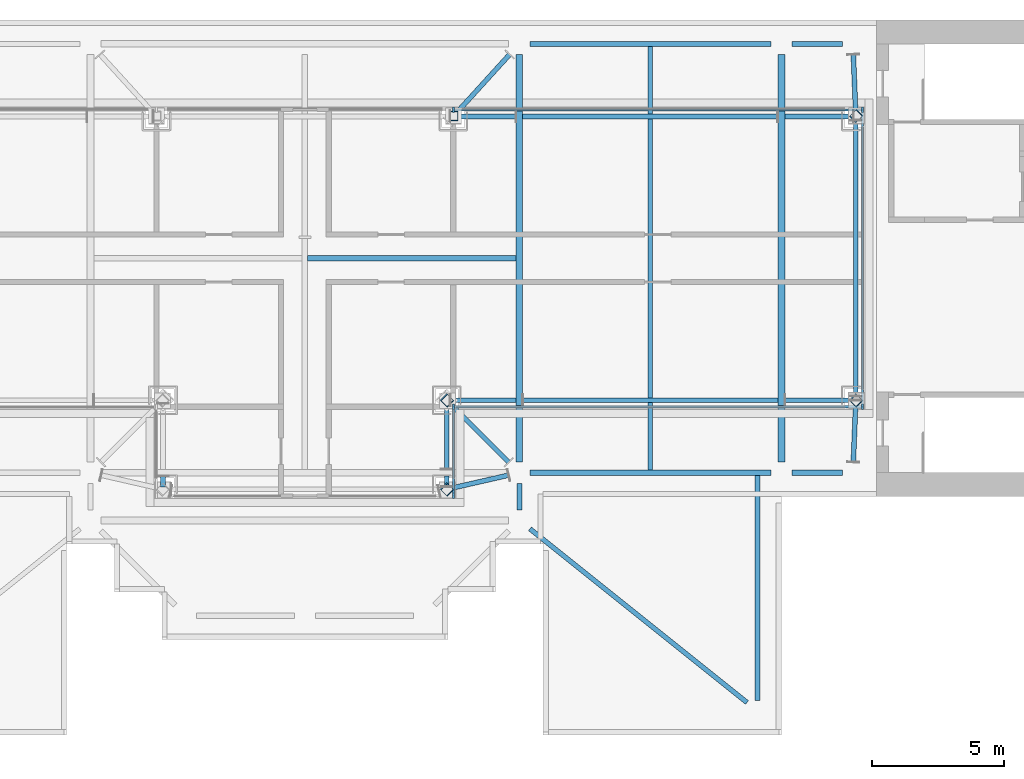
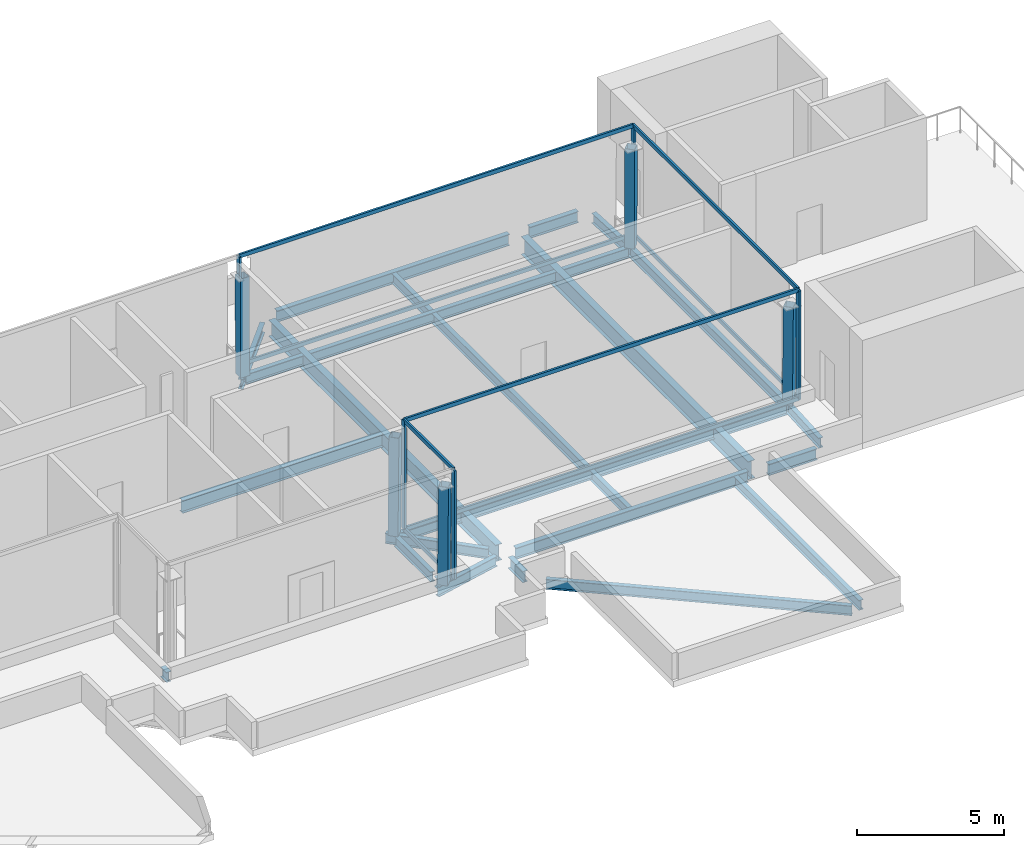
# One storey, part 2 of 8: 28 beams, 18 members, 5 elements without a shape of their own.
"""IFC4 building model written with IfcOpenShell, lengths in metres."""

from ifc_helpers import new_model, si_unit, direction, frame, origin, origin_2d, place, context, subcontext, project, spatial, rectangle, hollow_rectangle, i_section, extrude, material, material_profile, profile_set, type_object, element, aggregate, save


model = new_model("IFC4")

# Units and contexts
model_context = context("Model", 3, precision=1e-05, world=origin(), true_north=direction((0.0, 1.0)))
body_context = subcontext(model_context, "Body", "Model", "MODEL_VIEW")
ifc_project = project(units=[si_unit("LENGTHUNIT", "METRE"), si_unit("AREAUNIT", "SQUARE_METRE"), si_unit("VOLUMEUNIT", "CUBIC_METRE"), si_unit("PLANEANGLEUNIT", "RADIAN"), si_unit("MASSUNIT", "GRAM", prefix="KILO")], contexts=[model_context])

# Site, building, storey
site_placement = place(None, origin())
site = spatial("IfcSite", under=ifc_project, at=site_placement, CompositionType="ELEMENT")
building_placement = place(site_placement, origin())
building = spatial("IfcBuilding", under=site, at=building_placement, Name="Perihelion Cross Residences", CompositionType="ELEMENT")
storey_placement = place(building_placement, frame((0.0, 0.0, 298.800048828125)))
storey = spatial("IfcBuildingStorey", under=building, at=storey_placement, Name="L76", CompositionType="ELEMENT", Elevation=298.800048828125)

# Curtain wall, member
ifc_material_1 = material(Name="Bronze anodised aluminium, tinted glazing", Category="aluminium")
curtain_wall_type = type_object("IfcCurtainWallType", Name="CW6", PredefinedType="NOTDEFINED", material=ifc_material_1)
curtain_wall_1_placement = place(storey_placement, origin())
curtain_wall_1 = element("IfcCurtainWall", 1, at=curtain_wall_1_placement, inside=storey, type_object=curtain_wall_type, Name="Curtain wall CW6 L76 crown 1", PredefinedType="NOTDEFINED")
ifc_material_2 = material(Name="Bronze anodised aluminium", Category="aluminium")
ifc_material_profile_1 = material_profile(ifc_material_2, rectangle(XDim=0.080078125, YDim=0.199951171875, at=origin_2d()), Name="CW6 mullion")
ifc_profile_set_1 = profile_set([ifc_material_profile_1], Name="Bronze anodised aluminium")
member_type_1 = type_object("IfcMemberType", Name="CW6 mullion", PredefinedType="MULLION", material=ifc_profile_set_1)
member_1_placement = place(storey_placement, frame((21.057373046875, -5.60693359375, 0.0), z_axis=(0.0, 0.0, 1.0), x_axis=(1.0, 0.0, 0.0)))
member_1 = element("IfcMember", 2, at=member_1_placement, type_object=member_type_1, Name="Mullion CW6-M L76 crown 1", PredefinedType="MULLION", context=body_context, shape_type="SweptSolid", body=[
    extrude(rectangle(XDim=0.080078125, YDim=0.199951171875, at=origin_2d()), origin(), (0.0, 0.0, 1.0), 4.5),
])

curtain_wall_2_placement = place(storey_placement, origin())
curtain_wall_2 = element("IfcCurtainWall", 3, at=curtain_wall_2_placement, inside=storey, type_object=curtain_wall_type, Name="Curtain wall CW6 L76 crown 2", PredefinedType="NOTDEFINED")
member_2_placement = place(storey_placement, frame((21.057373046875, 5.60693359375, 0.0), z_axis=(0.0, 0.0, 1.0), x_axis=(1.0, 0.0, 0.0)))
member_2 = element("IfcMember", 4, at=member_2_placement, type_object=member_type_1, Name="Mullion CW6-M L76 crown 2", PredefinedType="MULLION", context=body_context, shape_type="SweptSolid", body=[
    extrude(rectangle(XDim=0.080078125, YDim=0.199951171875, at=origin_2d()), origin(), (0.0, 0.0, 1.0), 4.5),
])

curtain_wall_3_placement = place(storey_placement, origin())
curtain_wall_3 = element("IfcCurtainWall", 5, at=curtain_wall_3_placement, inside=storey, type_object=curtain_wall_type, Name="Curtain wall CW6 L76 crown 3", PredefinedType="NOTDEFINED")
member_3_placement = place(storey_placement, frame((5.60693359375, 5.60693359375, 0.0), z_axis=(0.0, 0.0, 1.0), x_axis=(1.0, 0.0, 0.0)))
member_3 = element("IfcMember", 6, at=member_3_placement, type_object=member_type_1, Name="Mullion CW6-M L76 crown 3", PredefinedType="MULLION", context=body_context, shape_type="SweptSolid", body=[
    extrude(rectangle(XDim=0.080078125, YDim=0.199951171875, at=origin_2d()), origin(), (0.0, 0.0, 1.0), 4.5),
])
aggregate(curtain_wall_3, [member_3])

curtain_wall_4_placement = place(storey_placement, origin())
curtain_wall_4 = element("IfcCurtainWall", 7, at=curtain_wall_4_placement, inside=storey, type_object=curtain_wall_type, Name="Curtain wall CW6 L76 crown 9", PredefinedType="NOTDEFINED")
member_4_placement = place(storey_placement, frame((5.60693359375, -8.97119140625, 0.0), z_axis=(0.0, 0.0, 1.0), x_axis=(1.0, 0.0, 0.0)))
member_4 = element("IfcMember", 8, at=member_4_placement, type_object=member_type_1, Name="Mullion CW6-M L76 crown 9", PredefinedType="MULLION", context=body_context, shape_type="SweptSolid", body=[
    extrude(rectangle(XDim=0.080078125, YDim=0.199951171875, at=origin_2d()), origin(), (0.0, 0.0, 1.0), 4.5),
])

curtain_wall_5_placement = place(storey_placement, origin())
curtain_wall_5 = element("IfcCurtainWall", 9, at=curtain_wall_5_placement, inside=storey, type_object=curtain_wall_type, Name="Curtain wall CW6 L76 crown 10", PredefinedType="NOTDEFINED")
member_5_placement = place(storey_placement, frame((5.60693359375, -5.60693359375, 0.0), z_axis=(0.0, 0.0, 1.0), x_axis=(1.0, 0.0, 0.0)))
member_5 = element("IfcMember", 10, at=member_5_placement, type_object=member_type_1, Name="Mullion CW6-M L76 crown 10", PredefinedType="MULLION", context=body_context, shape_type="SweptSolid", body=[
    extrude(rectangle(XDim=0.080078125, YDim=0.199951171875, at=origin_2d()), origin(), (0.0, 0.0, 1.0), 4.5),
])

# Member
ifc_material_3 = material(Name="Bronze anodised aluminium", Category="aluminium")
ifc_material_profile_2 = material_profile(ifc_material_3, rectangle(XDim=0.080078125, YDim=0.159912109375, at=origin_2d()), Name="CW6 transom")
ifc_profile_set_2 = profile_set([ifc_material_profile_2], Name="Bronze anodised aluminium")
member_type_2 = type_object("IfcMemberType", Name="CW6 transom", PredefinedType="USERDEFINED", material=ifc_profile_set_2)
member_6_placement = place(storey_placement, frame((21.057373046875, -5.60693359375, 4.5), z_axis=(0.0, 1.0, 0.0), x_axis=(-1.0, 0.0, 0.0)))
member_6 = element("IfcMember", 11, at=member_6_placement, type_object=member_type_2, Name="Transom CW6-T L76 crown 1 top", ObjectType="TRANSOM", PredefinedType="USERDEFINED", context=body_context, shape_type="SweptSolid", body=[
    extrude(rectangle(XDim=0.080078125, YDim=0.159912109375, at=origin_2d()), origin(), (0.0, 0.0, 1.0), 11.2138671875),
])

member_7_placement = place(storey_placement, frame((21.057373046875, -5.60693359375, 0.0), z_axis=(0.0, 1.0, 0.0), x_axis=(-1.0, 0.0, 0.0)))
member_7 = element("IfcMember", 12, at=member_7_placement, type_object=member_type_2, Name="Transom CW6-T L76 crown 1 bottom", ObjectType="TRANSOM", PredefinedType="USERDEFINED", context=body_context, shape_type="SweptSolid", body=[
    extrude(rectangle(XDim=0.080078125, YDim=0.159912109375, at=origin_2d()), origin(), (0.0, 0.0, 1.0), 11.2138671875),
])

aggregate(curtain_wall_1, [member_1, member_6, member_7])

member_8_placement = place(storey_placement, frame((21.057373046875, 5.60693359375, 4.5), z_axis=(-1.0, 0.0, 0.0), x_axis=(0.0, -1.0, 0.0)))
member_8 = element("IfcMember", 13, at=member_8_placement, type_object=member_type_2, Name="Transom CW6-T L76 crown 2 top", ObjectType="TRANSOM", PredefinedType="USERDEFINED", context=body_context, shape_type="SweptSolid", body=[
    extrude(rectangle(XDim=0.080078125, YDim=0.159912109375, at=origin_2d()), origin(), (0.0, 0.0, 1.0), 15.450439453125),
])

member_9_placement = place(storey_placement, frame((21.057373046875, 5.60693359375, 0.0), z_axis=(-1.0, 0.0, 0.0), x_axis=(0.0, -1.0, 0.0)))
member_9 = element("IfcMember", 14, at=member_9_placement, type_object=member_type_2, Name="Transom CW6-T L76 crown 2 bottom", ObjectType="TRANSOM", PredefinedType="USERDEFINED", context=body_context, shape_type="SweptSolid", body=[
    extrude(rectangle(XDim=0.080078125, YDim=0.159912109375, at=origin_2d()), origin(), (0.0, 0.0, 1.0), 15.450439453125),
])

aggregate(curtain_wall_2, [member_2, member_8, member_9])

member_10_placement = place(storey_placement, frame((5.60693359375, -8.97119140625, 4.5), z_axis=(0.0, 1.0, 0.0), x_axis=(-1.0, 0.0, 0.0)))
member_10 = element("IfcMember", 15, at=member_10_placement, type_object=member_type_2, Name="Transom CW6-T L76 crown 9 top", ObjectType="TRANSOM", PredefinedType="USERDEFINED", context=body_context, shape_type="SweptSolid", body=[
    extrude(rectangle(XDim=0.080078125, YDim=0.159912109375, at=origin_2d()), origin(), (0.0, 0.0, 1.0), 3.3642578125),
])

member_11_placement = place(storey_placement, frame((5.60693359375, -8.97119140625, 0.0), z_axis=(0.0, 1.0, 0.0), x_axis=(-1.0, 0.0, 0.0)))
member_11 = element("IfcMember", 16, at=member_11_placement, type_object=member_type_2, Name="Transom CW6-T L76 crown 9 bottom", ObjectType="TRANSOM", PredefinedType="USERDEFINED", context=body_context, shape_type="SweptSolid", body=[
    extrude(rectangle(XDim=0.080078125, YDim=0.159912109375, at=origin_2d()), origin(), (0.0, 0.0, 1.0), 3.3642578125),
])

aggregate(curtain_wall_4, [member_4, member_10, member_11])

member_12_placement = place(storey_placement, frame((5.60693359375, -5.60693359375, 4.5), z_axis=(1.0, 0.0, 0.0), x_axis=(0.0, 1.0, 0.0)))
member_12 = element("IfcMember", 17, at=member_12_placement, type_object=member_type_2, Name="Transom CW6-T L76 crown 10 top", ObjectType="TRANSOM", PredefinedType="USERDEFINED", context=body_context, shape_type="SweptSolid", body=[
    extrude(rectangle(XDim=0.080078125, YDim=0.159912109375, at=origin_2d()), origin(), (0.0, 0.0, 1.0), 15.450439453125),
])

member_13_placement = place(storey_placement, frame((5.60693359375, -5.60693359375, 0.0), z_axis=(1.0, 0.0, 0.0), x_axis=(0.0, 1.0, 0.0)))
member_13 = element("IfcMember", 18, at=member_13_placement, type_object=member_type_2, Name="Transom CW6-T L76 crown 10 bottom", ObjectType="TRANSOM", PredefinedType="USERDEFINED", context=body_context, shape_type="SweptSolid", body=[
    extrude(rectangle(XDim=0.080078125, YDim=0.159912109375, at=origin_2d()), origin(), (0.0, 0.0, 1.0), 15.450439453125),
])

aggregate(curtain_wall_5, [member_5, member_12, member_13])

# Beams
ifc_material_4 = material(Name="Steel S355", Category="steel")
ifc_material_profile_3 = material_profile(ifc_material_4, i_section(OverallWidth=0.177978515625, OverallDepth=0.406005859375, WebThickness=0.0078125, FlangeThickness=0.0126953125, at=origin_2d()), Name="W410x60")
ifc_profile_set_3 = profile_set([ifc_material_profile_3], Name="Steel S355")
beam_type_1 = type_object("IfcBeamType", Name="Core edge beam W410x60", PredefinedType="BEAM", material=ifc_profile_set_3)
beam_1_placement = place(storey_placement, frame((17.10009765625, -8.197021484375, -0.453125), z_axis=(0.0, -1.0, 0.0), x_axis=(1.0, 0.0, 0.0)))
element("IfcBeam", 19, at=beam_1_placement, inside=storey, type_object=beam_type_1, Name="Core edge beam TB2 L76 corner no. 3", PredefinedType="BEAM", context=body_context, shape_type="SweptSolid", body=[
    extrude(i_section(OverallWidth=0.177978515625, OverallDepth=0.406005859375, WebThickness=0.0078125, FlangeThickness=0.0126953125, at=origin_2d()), origin(), (0.0, 0.0, 1.0), 8.5029296875),
])
beam_2_placement = place(storey_placement, frame((8.5, -10.219970703125, -0.453125), z_axis=(0.780864273032, -0.624700718027, 0.0), x_axis=(0.624700718027, 0.780864273032, 0.0)))
element("IfcBeam", 20, at=beam_2_placement, inside=storey, type_object=beam_type_1, Name="Core edge beam TB2 L76 corner no. 4", PredefinedType="BEAM", context=body_context, shape_type="SweptSolid", body=[
    extrude(i_section(OverallWidth=0.177978515625, OverallDepth=0.406005859375, WebThickness=0.0078125, FlangeThickness=0.0126953125, at=origin_2d()), origin(), (0.0, 0.0, 1.0), 10.501220703125),
])

# Members
ifc_material_5 = material(Name="Steel S355", Category="steel")
ifc_material_profile_4 = material_profile(ifc_material_5, hollow_rectangle(XDim=0.35595703125, YDim=0.35595703125, WallThickness=0.015869140625, at=origin_2d()), Name="HSS355.6x355.6x15.9")
ifc_profile_set_4 = profile_set([ifc_material_profile_4], Name="Steel S355")
member_type_3 = type_object("IfcMemberType", Name="Crown leg HSS355.6x355.6x15.9", PredefinedType="BRACE", material=ifc_profile_set_4)
for number, where, z_axis, x_axis, name in (
    (21, (20.810546875, -5.360107421875, -0.25), (0.005560698653, -0.005560698653, 0.999969078152), (0.707106781187, 0.707106781187, 0.0), "Crown leg CR2 L76 1 no. 1"),
    (22, (20.810546875, 5.360107421875, -0.25), (0.005560698653, 0.005560698653, 0.999969078152), (-0.707106781187, 0.707106781187, 0.0), "Crown leg CR2 L76 2 no. 1"),
):
    element("IfcMember", number, at=place(storey_placement, frame(where, z_axis=z_axis, x_axis=x_axis)), inside=storey, type_object=member_type_3, Name=name, PredefinedType="BRACE", context=body_context, shape_type="SweptSolid", body=[
        extrude(hollow_rectangle(XDim=0.35595703125, YDim=0.35595703125, WallThickness=0.015869140625, at=origin_2d()), origin(), (0.0, 0.0, 1.0), 4.083251953125),
    ])
member_14_placement = place(storey_placement, frame((5.60693359375, 5.360107421875, -0.25), z_axis=(0.0, 0.005560784627, 0.999984538718), x_axis=(-1.0, 0.0, 0.0)))
element("IfcMember", 23, at=member_14_placement, inside=storey, type_object=member_type_3, Name="Crown leg CR2 L76 3 no. 1", PredefinedType="BRACE", context=body_context, shape_type="SweptSolid", body=[
    extrude(hollow_rectangle(XDim=0.35595703125, YDim=0.35595703125, WallThickness=0.015869140625, at=origin_2d()), origin(), (0.0, 0.0, 1.0), 4.0830078125),
])
for number, where, z_axis, x_axis, name in (
    (24, (5.360107421875, -8.724365234375, -0.25), (0.005560698653, -0.005560698653, 0.999969078152), (0.707106781187, 0.707106781187, 0.0), "Crown leg CR2 L76 9 no. 1"),
    (25, (5.360107421875, -5.360107421875, -0.25), (0.005560698653, -0.005560698653, 0.999969078152), (0.707106781187, 0.707106781187, 0.0), "Crown leg CR2 L76 10 no. 1"),
):
    element("IfcMember", number, at=place(storey_placement, frame(where, z_axis=z_axis, x_axis=x_axis)), inside=storey, type_object=member_type_3, Name=name, PredefinedType="BRACE", context=body_context, shape_type="SweptSolid", body=[
        extrude(hollow_rectangle(XDim=0.35595703125, YDim=0.35595703125, WallThickness=0.015869140625, at=origin_2d()), origin(), (0.0, 0.0, 1.0), 4.083251953125),
    ])

# Beams
ifc_material_6 = material(Name="Steel S355", Category="steel")
ifc_material_profile_5 = material_profile(ifc_material_6, i_section(OverallWidth=0.180908203125, OverallDepth=0.4169921875, WebThickness=0.010986328125, FlangeThickness=0.018310546875, at=origin_2d()), Name="W410x85")
ifc_profile_set_5 = profile_set([ifc_material_profile_5], Name="Steel S355")
beam_type_2 = type_object("IfcBeamType", Name="Crown ring beam W410x85", PredefinedType="BEAM", material=ifc_profile_set_5)
beam_3_placement = place(storey_placement, frame((20.810546875, -5.360107421875, -0.45849609375), z_axis=(0.0, 1.0, 0.0), x_axis=(-1.0, 0.0, 0.0)))
element("IfcBeam", 26, at=beam_3_placement, inside=storey, type_object=beam_type_2, Name="Crown ring beam CB1 L76 no. 1", PredefinedType="BEAM", context=body_context, shape_type="SweptSolid", body=[
    extrude(i_section(OverallWidth=0.180908203125, OverallDepth=0.4169921875, WebThickness=0.010986328125, FlangeThickness=0.018310546875, at=origin_2d()), origin(), (0.0, 0.0, 1.0), 10.72021484375),
])
beam_4_placement = place(storey_placement, frame((20.719970703125, 5.360107421875, -0.45849609375), z_axis=(-1.0, 0.0, 0.0), x_axis=(0.0, -1.0, 0.0)))
element("IfcBeam", 27, at=beam_4_placement, inside=storey, type_object=beam_type_2, Name="Crown ring beam CB1 L76 1 no. 1", PredefinedType="BEAM", context=body_context, shape_type="SweptSolid", body=[
    extrude(i_section(OverallWidth=0.180908203125, OverallDepth=0.4169921875, WebThickness=0.010986328125, FlangeThickness=0.018310546875, at=origin_2d()), origin(), (0.0, 0.0, 1.0), 2.58642578125),
])
beam_5_placement = place(storey_placement, frame((17.866455078125, 5.360107421875, -0.45849609375), z_axis=(-1.0, 0.0, 0.0), x_axis=(0.0, -1.0, 0.0)))
element("IfcBeam", 28, at=beam_5_placement, inside=storey, type_object=beam_type_2, Name="Crown ring beam CB1 L76 2 no. 1", PredefinedType="BEAM", context=body_context, shape_type="SweptSolid", body=[
    extrude(i_section(OverallWidth=0.180908203125, OverallDepth=0.4169921875, WebThickness=0.010986328125, FlangeThickness=0.018310546875, at=origin_2d()), origin(), (0.0, 0.0, 1.0), 9.639404296875),
])
beam_6_placement = place(storey_placement, frame((7.972900390625, 5.360107421875, -0.45849609375), z_axis=(-1.0, 0.0, 0.0), x_axis=(0.0, -1.0, 0.0)))
element("IfcBeam", 29, at=beam_6_placement, inside=storey, type_object=beam_type_2, Name="Crown ring beam CB1 L76 3 no. 1", PredefinedType="BEAM", context=body_context, shape_type="SweptSolid", body=[
    extrude(i_section(OverallWidth=0.180908203125, OverallDepth=0.4169921875, WebThickness=0.010986328125, FlangeThickness=0.018310546875, at=origin_2d()), origin(), (0.0, 0.0, 1.0), 2.24365234375),
])
for number, where, z_axis, x_axis, name in (
    (30, (-5.360107421875, -8.22705078125, -0.45849609375), (0.0, -1.0, 0.0), (1.0, 0.0, 0.0), "Crown ring beam CB1 L76 2 no. 4"),
    (31, (5.360107421875, -8.631591796875, -0.45849609375), (0.0, 1.0, 0.0), (-1.0, 0.0, 0.0), "Crown ring beam CB1 L76 1 no. 5"),
):
    element("IfcBeam", number, at=place(storey_placement, frame(where, z_axis=z_axis, x_axis=x_axis)), inside=storey, type_object=beam_type_2, Name=name, PredefinedType="BEAM", context=body_context, shape_type="SweptSolid", body=[
        extrude(i_section(OverallWidth=0.180908203125, OverallDepth=0.4169921875, WebThickness=0.010986328125, FlangeThickness=0.018310546875, at=origin_2d()), origin(), (0.0, 0.0, 1.0), 0.404541015625),
    ])
for number, where, z_axis, x_axis, name in (
    (32, (5.360107421875, -7.972900390625, -0.45849609375), (0.0, 1.0, 0.0), (-1.0, 0.0, 0.0), "Crown ring beam CB1 L76 2 no. 5"),
    (33, (5.488037109375, -5.360107421875, -0.45849609375), (1.0, 0.0, 0.0), (0.0, 1.0, 0.0), "Crown ring beam CB1 L76 1 no. 6"),
):
    element("IfcBeam", number, at=place(storey_placement, frame(where, z_axis=z_axis, x_axis=x_axis)), inside=storey, type_object=beam_type_2, Name=name, PredefinedType="BEAM", context=body_context, shape_type="SweptSolid", body=[
        extrude(i_section(OverallWidth=0.180908203125, OverallDepth=0.4169921875, WebThickness=0.010986328125, FlangeThickness=0.018310546875, at=origin_2d()), origin(), (0.0, 0.0, 1.0), 2.48486328125),
    ])
beam_7_placement = place(storey_placement, frame((8.22705078125, -5.360107421875, -0.45849609375), z_axis=(1.0, 0.0, 0.0), x_axis=(0.0, 1.0, 0.0)))
element("IfcBeam", 34, at=beam_7_placement, inside=storey, type_object=beam_type_2, Name="Crown ring beam CB1 L76 2 no. 6", PredefinedType="BEAM", context=body_context, shape_type="SweptSolid", body=[
    extrude(i_section(OverallWidth=0.180908203125, OverallDepth=0.4169921875, WebThickness=0.010986328125, FlangeThickness=0.018310546875, at=origin_2d()), origin(), (0.0, 0.0, 1.0), 9.639404296875),
])
beam_8_placement = place(storey_placement, frame((18.133544921875, -5.360107421875, -0.45849609375), z_axis=(1.0, 0.0, 0.0), x_axis=(0.0, 1.0, 0.0)))
element("IfcBeam", 35, at=beam_8_placement, inside=storey, type_object=beam_type_2, Name="Crown ring beam CB1 L76 3 no. 4", PredefinedType="BEAM", context=body_context, shape_type="SweptSolid", body=[
    extrude(i_section(OverallWidth=0.180908203125, OverallDepth=0.4169921875, WebThickness=0.010986328125, FlangeThickness=0.018310546875, at=origin_2d()), origin(), (0.0, 0.0, 1.0), 2.58642578125),
])
for number, where, z_axis, x_axis, name in (
    (36, (20.816650390625, -5.210205078125, -0.45849609375), (-0.040367148927, -0.999184914462, 0.0), (0.999184914462, -0.040367148927, 0.0), "Crown tie beam CB1 L76 no. 1"),
    (37, (20.816650390625, 5.210205078125, -0.45849609375), (-0.040367148927, 0.999184914462, 0.0), (-0.999184914462, -0.040367148927, 0.0), "Crown tie beam CB1 L76 no. 2"),
):
    element("IfcBeam", number, at=place(storey_placement, frame(where, z_axis=z_axis, x_axis=x_axis)), inside=storey, type_object=beam_type_2, Name=name, PredefinedType="BEAM", context=body_context, shape_type="SweptSolid", body=[
        extrude(i_section(OverallWidth=0.180908203125, OverallDepth=0.4169921875, WebThickness=0.010986328125, FlangeThickness=0.018310546875, at=origin_2d()), origin(), (0.0, 0.0, 1.0), 2.49169921875),
    ])
beam_9_placement = place(storey_placement, frame((5.405029296875, 5.13818359375, -0.45849609375), z_axis=(0.67301654825, 0.739627423627, 0.0), x_axis=(-0.739627423627, 0.67301654825, 0.0)))
element("IfcBeam", 38, at=beam_9_placement, inside=storey, type_object=beam_type_2, Name="Crown tie beam CB1 L76 no. 3", PredefinedType="BEAM", context=body_context, shape_type="SweptSolid", body=[
    extrude(i_section(OverallWidth=0.180908203125, OverallDepth=0.4169921875, WebThickness=0.010986328125, FlangeThickness=0.018310546875, at=origin_2d()), origin(), (0.0, 0.0, 1.0), 3.463623046875),
])
beam_10_placement = place(storey_placement, frame((5.067626953125, -8.791015625, -0.45849609375), z_axis=(0.975004778172, 0.222183893523, 0.0), x_axis=(-0.222183893523, 0.975004778172, 0.0)))
element("IfcBeam", 39, at=beam_10_placement, inside=storey, type_object=beam_type_2, Name="Crown tie beam CB1 L76 no. 9", PredefinedType="BEAM", context=body_context, shape_type="SweptSolid", body=[
    extrude(i_section(OverallWidth=0.180908203125, OverallDepth=0.4169921875, WebThickness=0.010986328125, FlangeThickness=0.018310546875, at=origin_2d()), origin(), (0.0, 0.0, 1.0), 2.69970703125),
])
beam_11_placement = place(storey_placement, frame((5.14794921875, -5.14794921875, -0.45849609375), z_axis=(0.707106781187, -0.707106781187, 0.0), x_axis=(0.707106781187, 0.707106781187, 0.0)))
element("IfcBeam", 40, at=beam_11_placement, inside=storey, type_object=beam_type_2, Name="Crown tie beam CB1 L76 no. 10", PredefinedType="BEAM", context=body_context, shape_type="SweptSolid", body=[
    extrude(i_section(OverallWidth=0.180908203125, OverallDepth=0.4169921875, WebThickness=0.010986328125, FlangeThickness=0.018310546875, at=origin_2d()), origin(), (0.0, 0.0, 1.0), 3.609130859375),
])
ifc_material_7 = material(Name="Steel S355", Category="steel")
ifc_material_profile_6 = material_profile(ifc_material_7, i_section(OverallWidth=0.194091796875, OverallDepth=0.469970703125, WebThickness=0.0126953125, FlangeThickness=0.0205078125, at=origin_2d()), Name="W460x106")
ifc_profile_set_6 = profile_set([ifc_material_profile_6], Name="Steel S355")
beam_type_3 = type_object("IfcBeamType", Name="Edge beam W460x106", PredefinedType="SPANDREL", material=ifc_profile_set_6)
beam_12_placement = place(storey_placement, frame((20.300048828125, 8.10009765625, -0.485107421875), z_axis=(-1.0, 0.0, 0.0), x_axis=(0.0, -1.0, 0.0)))
element("IfcBeam", 41, at=beam_12_placement, inside=storey, type_object=beam_type_3, Name="Edge beam SB5 L76 no. 10", PredefinedType="SPANDREL", context=body_context, shape_type="SweptSolid", body=[
    extrude(i_section(OverallWidth=0.194091796875, OverallDepth=0.469970703125, WebThickness=0.0126953125, FlangeThickness=0.0205078125, at=origin_2d()), origin(), (0.0, 0.0, 1.0), 1.900146484375),
])
beam_13_placement = place(storey_placement, frame((17.60009765625, 8.10009765625, -0.485107421875), z_axis=(-1.0, 0.0, 0.0), x_axis=(0.0, -1.0, 0.0)))
element("IfcBeam", 42, at=beam_13_placement, inside=storey, type_object=beam_type_3, Name="Edge beam SB5 L76 no. 9", PredefinedType="SPANDREL", context=body_context, shape_type="SweptSolid", body=[
    extrude(i_section(OverallWidth=0.194091796875, OverallDepth=0.469970703125, WebThickness=0.0126953125, FlangeThickness=0.0205078125, at=origin_2d()), origin(), (0.0, 0.0, 1.0), 9.10009765625),
])
beam_14_placement = place(storey_placement, frame((8.10009765625, -9.5, -0.485107421875), z_axis=(0.0, 1.0, 0.0), x_axis=(-1.0, 0.0, 0.0)))
element("IfcBeam", 43, at=beam_14_placement, inside=storey, type_object=beam_type_3, Name="Edge beam SB5 L76 no. 12", PredefinedType="SPANDREL", context=body_context, shape_type="SweptSolid", body=[
    extrude(i_section(OverallWidth=0.194091796875, OverallDepth=0.469970703125, WebThickness=0.0126953125, FlangeThickness=0.0205078125, at=origin_2d()), origin(), (0.0, 0.0, 1.0), 1.0),
])
beam_15_placement = place(storey_placement, frame((8.5, -8.10009765625, -0.485107421875), z_axis=(1.0, 0.0, 0.0), x_axis=(0.0, 1.0, 0.0)))
element("IfcBeam", 44, at=beam_15_placement, inside=storey, type_object=beam_type_3, Name="Edge beam SB5 L76 no. 11", PredefinedType="SPANDREL", context=body_context, shape_type="SweptSolid", body=[
    extrude(i_section(OverallWidth=0.194091796875, OverallDepth=0.469970703125, WebThickness=0.0126953125, FlangeThickness=0.0205078125, at=origin_2d()), origin(), (0.0, 0.0, 1.0), 9.10009765625),
])
beam_16_placement = place(storey_placement, frame((18.39990234375, -8.10009765625, -0.485107421875), z_axis=(1.0, 0.0, 0.0), x_axis=(0.0, 1.0, 0.0)))
element("IfcBeam", 45, at=beam_16_placement, inside=storey, type_object=beam_type_3, Name="Edge beam SB5 L76 no. 8", PredefinedType="SPANDREL", context=body_context, shape_type="SweptSolid", body=[
    extrude(i_section(OverallWidth=0.194091796875, OverallDepth=0.469970703125, WebThickness=0.0126953125, FlangeThickness=0.0205078125, at=origin_2d()), origin(), (0.0, 0.0, 1.0), 1.900146484375),
])
ifc_material_8 = material(Name="Steel S355", Category="steel")
ifc_material_profile_7 = material_profile(ifc_material_8, i_section(OverallWidth=0.26708984375, OverallDepth=0.75390625, WebThickness=0.01318359375, FlangeThickness=0.01708984375, at=origin_2d()), Name="W760x147")
ifc_profile_set_7 = profile_set([ifc_material_profile_7], Name="Steel S355")
beam_type_4 = type_object("IfcBeamType", Name="Floor girder W760x147", PredefinedType="BEAM", material=ifc_profile_set_7)
beam_17_placement = place(storey_placement, frame((18.0, -7.699951171875, -0.626953125), z_axis=(0.0, 1.0, 0.0), x_axis=(-1.0, 0.0, 0.0)))
element("IfcBeam", 46, at=beam_17_placement, inside=storey, type_object=beam_type_4, Name="Girder G5 L76 no. 2", PredefinedType="BEAM", context=body_context, shape_type="SweptSolid", body=[
    extrude(i_section(OverallWidth=0.26708984375, OverallDepth=0.75390625, WebThickness=0.01318359375, FlangeThickness=0.01708984375, at=origin_2d()), origin(), (0.0, 0.0, 1.0), 15.39990234375),
])
ifc_material_9 = material(Name="Steel S355", Category="steel")
ifc_material_profile_8 = material_profile(ifc_material_9, i_section(OverallWidth=0.177978515625, OverallDepth=0.406005859375, WebThickness=0.0078125, FlangeThickness=0.0126953125, at=origin_2d()), Name="W410x60")
ifc_profile_set_8 = profile_set([ifc_material_profile_8], Name="Steel S355")
beam_type_5 = type_object("IfcBeamType", Name="Floor joist W410x60", PredefinedType="JOIST", material=ifc_profile_set_8)
beam_18_placement = place(storey_placement, frame((13.050048828125, -8.0029296875, -0.453125), z_axis=(0.0, 1.0, 0.0), x_axis=(-1.0, 0.0, 0.0)))
element("IfcBeam", 47, at=beam_18_placement, inside=storey, type_object=beam_type_5, Name="Joist J6 L76 no. 4", PredefinedType="JOIST", context=body_context, shape_type="SweptSolid", body=[
    extrude(i_section(OverallWidth=0.177978515625, OverallDepth=0.406005859375, WebThickness=0.0078125, FlangeThickness=0.0126953125, at=origin_2d()), origin(), (0.0, 0.0, 1.0), 2.55224609375),
])
beam_19_placement = place(storey_placement, frame((13.050048828125, -5.269775390625, -0.453125), z_axis=(0.0, 1.0, 0.0), x_axis=(-1.0, 0.0, 0.0)))
element("IfcBeam", 48, at=beam_19_placement, inside=storey, type_object=beam_type_5, Name="Joist J6 L76 no. 5", PredefinedType="JOIST", context=body_context, shape_type="SweptSolid", body=[
    extrude(i_section(OverallWidth=0.177978515625, OverallDepth=0.406005859375, WebThickness=0.0078125, FlangeThickness=0.0126953125, at=origin_2d()), origin(), (0.0, 0.0, 1.0), 10.53955078125),
])
beam_20_placement = place(storey_placement, frame((13.050048828125, 5.45068359375, -0.453125), z_axis=(0.0, 1.0, 0.0), x_axis=(-1.0, 0.0, 0.0)))
element("IfcBeam", 49, at=beam_20_placement, inside=storey, type_object=beam_type_5, Name="Joist J6 L76 no. 6", PredefinedType="JOIST", context=body_context, shape_type="SweptSolid", body=[
    extrude(i_section(OverallWidth=0.177978515625, OverallDepth=0.406005859375, WebThickness=0.0078125, FlangeThickness=0.0126953125, at=origin_2d()), origin(), (0.0, 0.0, 1.0), 2.55224609375),
])
ifc_material_10 = material(Name="Steel S355", Category="steel")
ifc_material_profile_9 = material_profile(ifc_material_10, i_section(OverallWidth=0.208984375, OverallDepth=0.532958984375, WebThickness=0.01025390625, FlangeThickness=0.015625, at=origin_2d()), Name="W530x92")
ifc_profile_set_9 = profile_set([ifc_material_profile_9], Name="Steel S355")
beam_type_6 = type_object("IfcBeamType", Name="Hub cross beam W530x92", PredefinedType="BEAM", material=ifc_profile_set_9)
beam_21_placement = place(storey_placement, frame((0.1044921875, 0.0, -0.5166015625), z_axis=(1.0, 0.0, 0.0), x_axis=(0.0, 1.0, 0.0)))
element("IfcBeam", 50, at=beam_21_placement, inside=storey, type_object=beam_type_6, Name="Hub cross beam XB5 L76 2 no. 2", PredefinedType="BEAM", context=body_context, shape_type="SweptSolid", body=[
    extrude(i_section(OverallWidth=0.208984375, OverallDepth=0.532958984375, WebThickness=0.01025390625, FlangeThickness=0.015625, at=origin_2d()), origin(), (0.0, 0.0, 1.0), 7.868408203125),
])
ifc_material_11 = material(Name="Steel S355", Category="steel")
ifc_material_profile_10 = material_profile(ifc_material_11, i_section(OverallWidth=0.25390625, OverallDepth=0.677978515625, WebThickness=0.01171875, FlangeThickness=0.016357421875, at=origin_2d()), Name="W690x125")
ifc_profile_set_10 = profile_set([ifc_material_profile_10], Name="Steel S355")
beam_type_7 = type_object("IfcBeamType", Name="Hub ring girder W690x125", PredefinedType="BEAM", material=ifc_profile_set_10)
beam_22_placement = place(storey_placement, frame((8.10009765625, -7.699951171875, -0.589111328125), z_axis=(0.0, 1.0, 0.0), x_axis=(-1.0, 0.0, 0.0)))
element("IfcBeam", 51, at=beam_22_placement, inside=storey, type_object=beam_type_7, Name="Hub ring girder RG5 L76 no. 3", PredefinedType="BEAM", context=body_context, shape_type="SweptSolid", body=[
    extrude(i_section(OverallWidth=0.25390625, OverallDepth=0.677978515625, WebThickness=0.01171875, FlangeThickness=0.016357421875, at=origin_2d()), origin(), (0.0, 0.0, 1.0), 15.39990234375),
])

save(model, "model.ifc")
